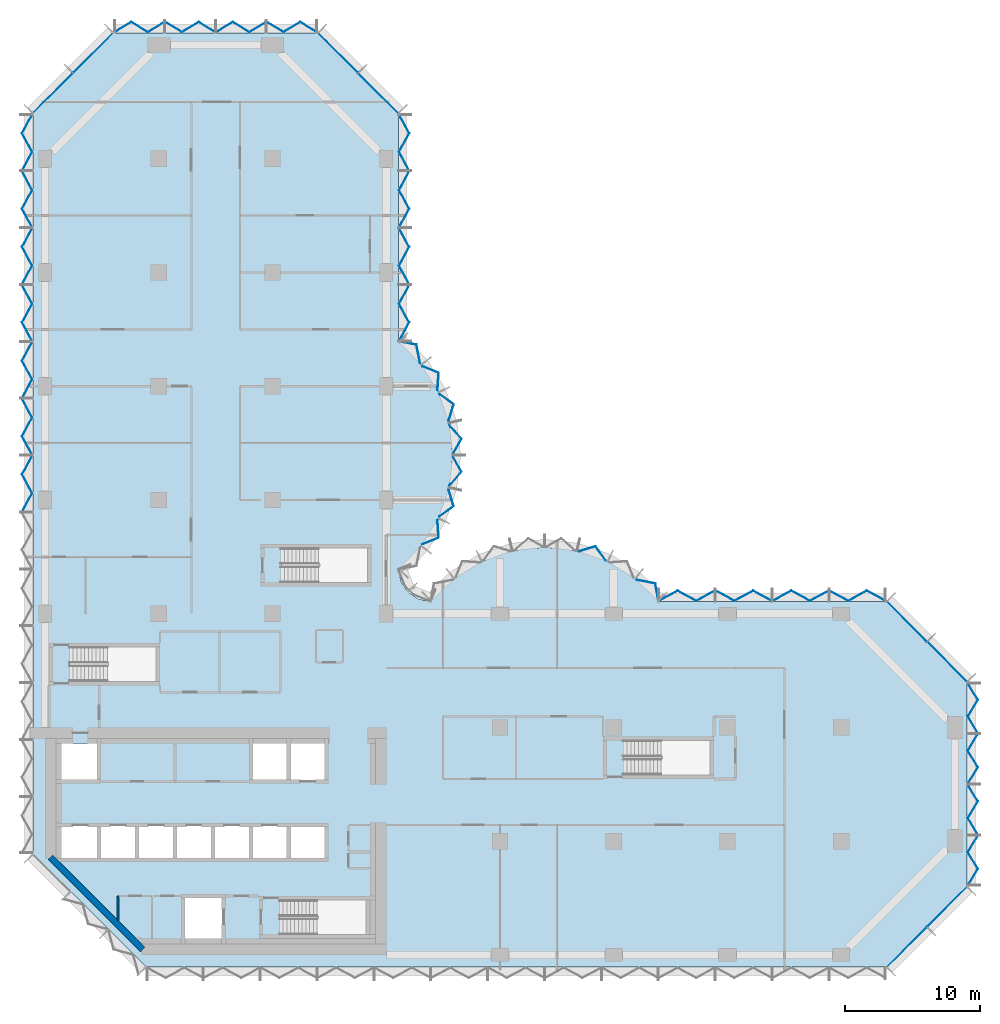
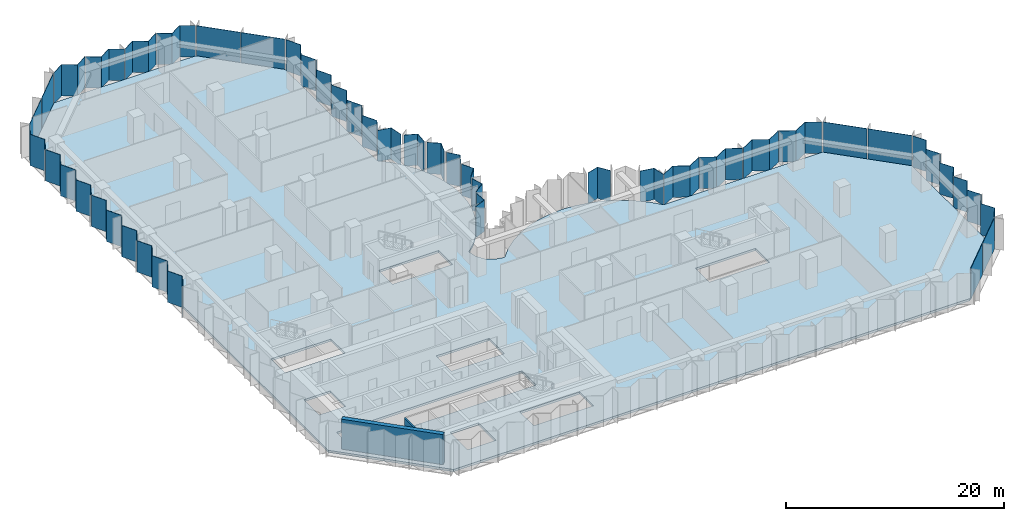
# One storey, part 6 of 13: 40 plates, 2 walls, 1 slab, 11 elements without a shape of their own.
"""IFC4 building model written with IfcOpenShell, lengths in metres."""

from ifc_helpers import new_model, si_unit, direction, frame, frame_2d, origin, place, context, subcontext, project, spatial, polyline, rectangle, outline, extrude, material, layer, layer_set, type_object, element, aggregate, save


model = new_model("IFC4")

# Units and contexts
model_context = context("Model", 3, precision=1e-05, world=origin(), true_north=direction((0.0, 1.0)))
body_context = subcontext(model_context, "Body", "Model", "MODEL_VIEW")
ifc_project = project(units=[si_unit("LENGTHUNIT", "METRE"), si_unit("AREAUNIT", "SQUARE_METRE"), si_unit("VOLUMEUNIT", "CUBIC_METRE"), si_unit("PLANEANGLEUNIT", "RADIAN"), si_unit("MASSUNIT", "GRAM", prefix="KILO")], contexts=[model_context])

# Site, building, storey
site_placement = place(None, origin())
site = spatial("IfcSite", under=ifc_project, at=site_placement, CompositionType="ELEMENT")
building_placement = place(site_placement, origin())
building = spatial("IfcBuilding", under=site, at=building_placement, Name="Brevane Broadcast Tower", CompositionType="ELEMENT")
storey_placement = place(building_placement, frame((0.0, 0.0, 91.699951171875)))
storey = spatial("IfcBuildingStorey", under=building, at=storey_placement, Name="L21", CompositionType="ELEMENT", Elevation=91.699951171875)

# Curtain wall, plates
ifc_material_1 = material(Name="Aluminium 6063-T6 bronze anodised", Category="aluminium")
curtain_wall_type = type_object("IfcCurtainWallType", Name="CW-1 curtain wall", PredefinedType="NOTDEFINED", material=ifc_material_1)
curtain_wall_1_placement = place(storey_placement, origin())
curtain_wall_1 = element("IfcCurtainWall", 1, at=curtain_wall_1_placement, inside=storey, type_object=curtain_wall_type, Name="CW-1 typical tilted unit L21 south-east chamfer", PredefinedType="NOTDEFINED")
ifc_material_2 = material(Name="Laminated glass bronze-tinted", Category="glass")
ifc_layer_1 = layer(ifc_material_2, 0.0400390625)
ifc_layer_set_1 = layer_set([ifc_layer_1], Name="CW tall glass panel 40")
plate_type = type_object("IfcPlateType", Name="CW tall glass panel 40", PredefinedType="CURTAIN_PANEL", material=ifc_layer_set_1)
plate_1_placement = place(storey_placement, frame((0.0, 0.0, -0.14990234375)))
plate_1 = element("IfcPlate", 2, at=plate_1_placement, type_object=plate_type, Name="CW-1 glass panel", PredefinedType="CURTAIN_PANEL", context=body_context, shape_type="SweptSolid", body=[
    extrude(outline(polyline([(62.14599609375, -0.896484375), (65.096435546875, 2.053955078125), (65.124755859375, 2.02587890625), (62.17431640625, -0.9248046875), (62.14599609375, -0.896484375)])), origin(), (0.0, 0.0, 1.0), 3.5),
])
plate_2_placement = place(storey_placement, frame((0.0, 0.0, -0.14990234375)))
plate_2 = element("IfcPlate", 3, at=plate_2_placement, type_object=plate_type, Name="CW-1 glass panel", PredefinedType="CURTAIN_PANEL", context=body_context, shape_type="SweptSolid", body=[
    extrude(outline(polyline([(65.14599609375, 2.103515625), (68.096435546875, 5.053955078125), (68.124755859375, 5.02587890625), (65.17431640625, 2.0751953125), (65.14599609375, 2.103515625)])), origin(), (0.0, 0.0, 1.0), 3.5),
])
aggregate(curtain_wall_1, [plate_1, plate_2])

curtain_wall_2_placement = place(storey_placement, origin())
curtain_wall_2 = element("IfcCurtainWall", 4, at=curtain_wall_2_placement, inside=storey, type_object=curtain_wall_type, Name="CW-1 typical tilted unit L21 east end", PredefinedType="NOTDEFINED")
plate_3_placement = place(storey_placement, frame((0.0, 0.0, -0.14990234375)))
plate_3 = element("IfcPlate", 5, at=plate_3_placement, type_object=plate_type, Name="CW-1 glass panel", PredefinedType="CURTAIN_PANEL", context=body_context, shape_type="SweptSolid", body=[
    extrude(outline(polyline([(68.126708984375, 5.135009765625), (68.17333984375, 5.135009765625), (68.917724609375, 6.36181640625), (68.17333984375, 7.58837890625), (68.917724609375, 8.81494140625), (68.87109375, 8.81494140625), (68.126708984375, 7.58837890625), (68.87109375, 6.36181640625), (68.126708984375, 5.135009765625)])), origin(), (0.0, 0.0, 1.0), 3.5),
])
plate_4_placement = place(storey_placement, frame((0.0, 0.0, -0.14990234375)))
plate_4 = element("IfcPlate", 6, at=plate_4_placement, type_object=plate_type, Name="CW-1 glass panel", PredefinedType="CURTAIN_PANEL", context=body_context, shape_type="SweptSolid", body=[
    extrude(outline(polyline([(68.87109375, 8.885009765625), (68.917724609375, 8.885009765625), (68.17333984375, 10.11181640625), (68.917724609375, 11.33837890625), (68.17333984375, 12.56494140625), (68.126708984375, 12.56494140625), (68.87109375, 11.33837890625), (68.126708984375, 10.11181640625), (68.87109375, 8.885009765625)])), origin(), (0.0, 0.0, 1.0), 3.5),
])
plate_5_placement = place(storey_placement, frame((0.0, 0.0, -0.14990234375)))
plate_5 = element("IfcPlate", 7, at=plate_5_placement, type_object=plate_type, Name="CW-1 glass panel", PredefinedType="CURTAIN_PANEL", context=body_context, shape_type="SweptSolid", body=[
    extrude(outline(polyline([(68.126708984375, 12.635009765625), (68.17333984375, 12.635009765625), (68.917724609375, 13.86181640625), (68.17333984375, 15.08837890625), (68.917724609375, 16.31494140625), (68.87109375, 16.31494140625), (68.126708984375, 15.08837890625), (68.87109375, 13.86181640625), (68.126708984375, 12.635009765625)])), origin(), (0.0, 0.0, 1.0), 3.5),
])
plate_6_placement = place(storey_placement, frame((0.0, 0.0, -0.14990234375)))
plate_6 = element("IfcPlate", 8, at=plate_6_placement, type_object=plate_type, Name="CW-1 glass panel", PredefinedType="CURTAIN_PANEL", context=body_context, shape_type="SweptSolid", body=[
    extrude(outline(polyline([(68.87109375, 16.385009765625), (68.917724609375, 16.385009765625), (68.17333984375, 17.61181640625), (68.917724609375, 18.83837890625), (68.17333984375, 20.06494140625), (68.126708984375, 20.06494140625), (68.87109375, 18.83837890625), (68.126708984375, 17.61181640625), (68.87109375, 16.385009765625)])), origin(), (0.0, 0.0, 1.0), 3.5),
])
aggregate(curtain_wall_2, [plate_3, plate_4, plate_5, plate_6])

curtain_wall_3_placement = place(storey_placement, origin())
curtain_wall_3 = element("IfcCurtainWall", 9, at=curtain_wall_3_placement, inside=storey, type_object=curtain_wall_type, Name="CW-1 typical tilted unit L21 north-east chamfer", PredefinedType="NOTDEFINED")
plate_7_placement = place(storey_placement, frame((0.0, 0.0, -0.14990234375)))
plate_7 = element("IfcPlate", 10, at=plate_7_placement, type_object=plate_type, Name="CW-1 glass panel", PredefinedType="CURTAIN_PANEL", context=body_context, shape_type="SweptSolid", body=[
    extrude(outline(polyline([(68.096435546875, 20.14599609375), (65.14599609375, 23.096435546875), (65.17431640625, 23.124755859375), (68.124755859375, 20.17431640625), (68.096435546875, 20.14599609375)])), origin(), (0.0, 0.0, 1.0), 3.5),
])
plate_8_placement = place(storey_placement, frame((0.0, 0.0, -0.14990234375)))
plate_8 = element("IfcPlate", 11, at=plate_8_placement, type_object=plate_type, Name="CW-1 glass panel", PredefinedType="CURTAIN_PANEL", context=body_context, shape_type="SweptSolid", body=[
    extrude(outline(polyline([(65.096435546875, 23.14599609375), (62.14599609375, 26.096435546875), (62.17431640625, 26.124755859375), (65.124755859375, 23.17431640625), (65.096435546875, 23.14599609375)])), origin(), (0.0, 0.0, 1.0), 3.5),
])
aggregate(curtain_wall_3, [plate_7, plate_8])

curtain_wall_4_placement = place(storey_placement, origin())
curtain_wall_4 = element("IfcCurtainWall", 12, at=curtain_wall_4_placement, inside=storey, type_object=curtain_wall_type, Name="CW-1 typical tilted unit L21 east arm north face", PredefinedType="NOTDEFINED")
plate_9_placement = place(storey_placement, frame((0.0, 0.0, -0.14990234375)))
plate_9 = element("IfcPlate", 13, at=plate_9_placement, type_object=plate_type, Name="CW-1 glass panel", PredefinedType="CURTAIN_PANEL", context=body_context, shape_type="SweptSolid", body=[
    extrude(outline(polyline([(62.06494140625, 26.127197265625), (62.06494140625, 26.172607421875), (60.688232421875, 26.9169921875), (59.311767578125, 26.172607421875), (57.93505859375, 26.9169921875), (57.93505859375, 26.87158203125), (59.311767578125, 26.127197265625), (60.688232421875, 26.87158203125), (62.06494140625, 26.127197265625)])), origin(), (0.0, 0.0, 1.0), 3.5),
])
plate_10_placement = place(storey_placement, frame((0.0, 0.0, -0.14990234375)))
plate_10 = element("IfcPlate", 14, at=plate_10_placement, type_object=plate_type, Name="CW-1 glass panel", PredefinedType="CURTAIN_PANEL", context=body_context, shape_type="SweptSolid", body=[
    extrude(outline(polyline([(57.864990234375, 26.87158203125), (57.864990234375, 26.9169921875), (56.48828125, 26.172607421875), (55.11181640625, 26.9169921875), (53.735107421875, 26.172607421875), (53.735107421875, 26.127197265625), (55.11181640625, 26.87158203125), (56.48828125, 26.127197265625), (57.864990234375, 26.87158203125)])), origin(), (0.0, 0.0, 1.0), 3.5),
])
plate_11_placement = place(storey_placement, frame((0.0, 0.0, -0.14990234375)))
plate_11 = element("IfcPlate", 15, at=plate_11_placement, type_object=plate_type, Name="CW-1 glass panel", PredefinedType="CURTAIN_PANEL", context=body_context, shape_type="SweptSolid", body=[
    extrude(outline(polyline([(53.6650390625, 26.127197265625), (53.6650390625, 26.172607421875), (52.288330078125, 26.9169921875), (50.91162109375, 26.172607421875), (49.534912109375, 26.9169921875), (49.534912109375, 26.87158203125), (50.91162109375, 26.127197265625), (52.288330078125, 26.87158203125), (53.6650390625, 26.127197265625)])), origin(), (0.0, 0.0, 1.0), 3.5),
])
plate_12_placement = place(storey_placement, frame((0.0, 0.0, -0.14990234375)))
plate_12 = element("IfcPlate", 16, at=plate_12_placement, type_object=plate_type, Name="CW-1 glass panel", PredefinedType="CURTAIN_PANEL", context=body_context, shape_type="SweptSolid", body=[
    extrude(outline(polyline([(49.465087890625, 26.87158203125), (49.465087890625, 26.9169921875), (48.08837890625, 26.172607421875), (46.711669921875, 26.9169921875), (45.3349609375, 26.172607421875), (45.3349609375, 26.127197265625), (46.711669921875, 26.87158203125), (48.08837890625, 26.127197265625), (49.465087890625, 26.87158203125)])), origin(), (0.0, 0.0, 1.0), 3.5),
])
aggregate(curtain_wall_4, [plate_9, plate_10, plate_11, plate_12])

curtain_wall_5_placement = place(storey_placement, origin())
curtain_wall_5 = element("IfcCurtainWall", 17, at=curtain_wall_5_placement, inside=storey, type_object=curtain_wall_type, Name="CW-1 typical tilted unit L21 east bow", PredefinedType="NOTDEFINED")
plate_13_placement = place(storey_placement, frame((0.0, 0.0, -0.14990234375)))
plate_13 = element("IfcPlate", 18, at=plate_13_placement, type_object=plate_type, Name="CW-1 glass panel", PredefinedType="CURTAIN_PANEL", context=body_context, shape_type="SweptSolid", body=[
    extrude(outline(polyline([(45.2939453125, 26.14404296875), (45.327880859375, 26.17919921875), (45.086181640625, 27.447265625), (43.738525390625, 27.71142578125), (43.7109375, 27.67626953125), (45.052001953125, 27.4130859375), (45.2939453125, 26.14404296875)])), origin(), (0.0, 0.0, 1.0), 3.5),
])
plate_14_placement = place(storey_placement, frame((0.0, 0.0, -0.14990234375)))
plate_14 = element("IfcPlate", 19, at=plate_14_placement, type_object=plate_type, Name="CW-1 glass panel", PredefinedType="CURTAIN_PANEL", context=body_context, shape_type="SweptSolid", body=[
    extrude(outline(polyline([(41.3994140625, 29.104248046875), (41.4189453125, 29.1455078125), (40.667724609375, 30.20166015625), (39.45068359375, 29.83349609375), (39.440185546875, 29.78857421875), (40.65185546875, 30.155029296875), (41.3994140625, 29.104248046875)])), origin(), (0.0, 0.0, 1.0), 3.5),
])
aggregate(curtain_wall_5, [plate_13, plate_14])

curtain_wall_6_placement = place(storey_placement, origin())
curtain_wall_6 = element("IfcCurtainWall", 20, at=curtain_wall_6_placement, inside=storey, type_object=curtain_wall_type, Name="CW-1 typical tilted unit L21 north bow", PredefinedType="NOTDEFINED")
plate_15_placement = place(storey_placement, frame((0.0, 0.0, -0.14990234375)))
plate_15 = element("IfcPlate", 21, at=plate_15_placement, type_object=plate_type, Name="CW-1 glass panel", PredefinedType="CURTAIN_PANEL", context=body_context, shape_type="SweptSolid", body=[
    extrude(outline(polyline([(27.8759765625, 30.343017578125), (27.912109375, 30.314697265625), (29.089111328125, 30.7958984375), (29.006591796875, 32.08935546875), (28.96533203125, 32.10888671875), (29.04736328125, 30.822265625), (27.8759765625, 30.343017578125)])), origin(), (0.0, 0.0, 1.0), 3.5),
])
plate_16_placement = place(storey_placement, frame((0.0, 0.0, -0.14990234375)))
plate_16 = element("IfcPlate", 22, at=plate_16_placement, type_object=plate_type, Name="CW-1 glass panel", PredefinedType="CURTAIN_PANEL", context=body_context, shape_type="SweptSolid", body=[
    extrude(outline(polyline([(29.104248046875, 32.400634765625), (29.1455078125, 32.381103515625), (30.20166015625, 33.132080078125), (29.83349609375, 34.349365234375), (29.78857421875, 34.359619140625), (30.155029296875, 33.148193359375), (29.104248046875, 32.400634765625)])), origin(), (0.0, 0.0, 1.0), 3.5),
])
plate_17_placement = place(storey_placement, frame((0.0, 0.0, -0.14990234375)))
plate_17 = element("IfcPlate", 23, at=plate_17_placement, type_object=plate_type, Name="CW-1 glass panel", PredefinedType="CURTAIN_PANEL", context=body_context, shape_type="SweptSolid", body=[
    extrude(outline(polyline([(29.859619140625, 34.6748046875), (29.903564453125, 34.664794921875), (30.779296875, 35.68310546875), (30.15869140625, 36.7919921875), (30.11279296875, 36.7919921875), (30.730712890625, 35.68798828125), (29.859619140625, 34.6748046875)])), origin(), (0.0, 0.0, 1.0), 3.5),
])
plate_18_placement = place(storey_placement, frame((0.0, 0.0, -0.14990234375)))
plate_18 = element("IfcPlate", 24, at=plate_18_placement, type_object=plate_type, Name="CW-1 glass panel", PredefinedType="CURTAIN_PANEL", context=body_context, shape_type="SweptSolid", body=[
    extrude(outline(polyline([(30.11279296875, 37.008056640625), (30.15869140625, 37.008056640625), (30.779296875, 38.116943359375), (29.903564453125, 39.13525390625), (29.859619140625, 39.125), (30.730712890625, 38.112060546875), (30.11279296875, 37.008056640625)])), origin(), (0.0, 0.0, 1.0), 3.5),
])
plate_19_placement = place(storey_placement, frame((0.0, 0.0, -0.14990234375)))
plate_19 = element("IfcPlate", 25, at=plate_19_placement, type_object=plate_type, Name="CW-1 glass panel", PredefinedType="CURTAIN_PANEL", context=body_context, shape_type="SweptSolid", body=[
    extrude(outline(polyline([(29.78857421875, 39.440185546875), (29.83349609375, 39.45068359375), (30.20166015625, 40.667724609375), (29.1455078125, 41.4189453125), (29.104248046875, 41.3994140625), (30.155029296875, 40.65185546875), (29.78857421875, 39.440185546875)])), origin(), (0.0, 0.0, 1.0), 3.5),
])
plate_20_placement = place(storey_placement, frame((0.0, 0.0, -0.14990234375)))
plate_20 = element("IfcPlate", 26, at=plate_20_placement, type_object=plate_type, Name="CW-1 glass panel", PredefinedType="CURTAIN_PANEL", context=body_context, shape_type="SweptSolid", body=[
    extrude(outline(polyline([(28.96533203125, 41.69091796875), (29.006591796875, 41.710693359375), (29.089111328125, 43.00390625), (27.912109375, 43.4853515625), (27.8759765625, 43.45703125), (29.04736328125, 42.977783203125), (28.96533203125, 41.69091796875)])), origin(), (0.0, 0.0, 1.0), 3.5),
])
plate_21_placement = place(storey_placement, frame((0.0, 0.0, -0.14990234375)))
plate_21 = element("IfcPlate", 27, at=plate_21_placement, type_object=plate_type, Name="CW-1 glass panel", PredefinedType="CURTAIN_PANEL", context=body_context, shape_type="SweptSolid", body=[
    extrude(outline(polyline([(27.67626953125, 43.7109375), (27.71142578125, 43.738525390625), (27.447265625, 45.086181640625), (26.17919921875, 45.327880859375), (26.14404296875, 45.2939453125), (27.4130859375, 45.052001953125), (27.67626953125, 43.7109375)])), origin(), (0.0, 0.0, 1.0), 3.5),
])
aggregate(curtain_wall_6, [plate_15, plate_16, plate_17, plate_18, plate_19, plate_20, plate_21])

curtain_wall_7_placement = place(storey_placement, origin())
curtain_wall_7 = element("IfcCurtainWall", 28, at=curtain_wall_7_placement, inside=storey, type_object=curtain_wall_type, Name="CW-1 typical tilted unit L21 north arm east face", PredefinedType="NOTDEFINED")
plate_22_placement = place(storey_placement, frame((0.0, 0.0, -0.14990234375)))
plate_22 = element("IfcPlate", 29, at=plate_22_placement, type_object=plate_type, Name="CW-1 glass panel", PredefinedType="CURTAIN_PANEL", context=body_context, shape_type="SweptSolid", body=[
    extrude(outline(polyline([(26.127197265625, 45.3349609375), (26.172607421875, 45.3349609375), (26.9169921875, 46.711669921875), (26.172607421875, 48.08837890625), (26.9169921875, 49.465087890625), (26.87158203125, 49.465087890625), (26.127197265625, 48.08837890625), (26.87158203125, 46.711669921875), (26.127197265625, 45.3349609375)])), origin(), (0.0, 0.0, 1.0), 3.5),
])
plate_23_placement = place(storey_placement, frame((0.0, 0.0, -0.14990234375)))
plate_23 = element("IfcPlate", 30, at=plate_23_placement, type_object=plate_type, Name="CW-1 glass panel", PredefinedType="CURTAIN_PANEL", context=body_context, shape_type="SweptSolid", body=[
    extrude(outline(polyline([(26.87158203125, 49.534912109375), (26.9169921875, 49.534912109375), (26.172607421875, 50.91162109375), (26.9169921875, 52.288330078125), (26.172607421875, 53.6650390625), (26.127197265625, 53.6650390625), (26.87158203125, 52.288330078125), (26.127197265625, 50.91162109375), (26.87158203125, 49.534912109375)])), origin(), (0.0, 0.0, 1.0), 3.5),
])
plate_24_placement = place(storey_placement, frame((0.0, 0.0, -0.14990234375)))
plate_24 = element("IfcPlate", 31, at=plate_24_placement, type_object=plate_type, Name="CW-1 glass panel", PredefinedType="CURTAIN_PANEL", context=body_context, shape_type="SweptSolid", body=[
    extrude(outline(polyline([(26.127197265625, 53.735107421875), (26.172607421875, 53.735107421875), (26.9169921875, 55.11181640625), (26.172607421875, 56.48828125), (26.9169921875, 57.864990234375), (26.87158203125, 57.864990234375), (26.127197265625, 56.48828125), (26.87158203125, 55.11181640625), (26.127197265625, 53.735107421875)])), origin(), (0.0, 0.0, 1.0), 3.5),
])
plate_25_placement = place(storey_placement, frame((0.0, 0.0, -0.14990234375)))
plate_25 = element("IfcPlate", 32, at=plate_25_placement, type_object=plate_type, Name="CW-1 glass panel", PredefinedType="CURTAIN_PANEL", context=body_context, shape_type="SweptSolid", body=[
    extrude(outline(polyline([(26.87158203125, 57.93505859375), (26.9169921875, 57.93505859375), (26.172607421875, 59.311767578125), (26.9169921875, 60.688232421875), (26.172607421875, 62.06494140625), (26.127197265625, 62.06494140625), (26.87158203125, 60.688232421875), (26.127197265625, 59.311767578125), (26.87158203125, 57.93505859375)])), origin(), (0.0, 0.0, 1.0), 3.5),
])
aggregate(curtain_wall_7, [plate_22, plate_23, plate_24, plate_25])

curtain_wall_8_placement = place(storey_placement, origin())
curtain_wall_8 = element("IfcCurtainWall", 33, at=curtain_wall_8_placement, inside=storey, type_object=curtain_wall_type, Name="CW-1 typical tilted unit L21 north arm north-east chamfer", PredefinedType="NOTDEFINED")
plate_26_placement = place(storey_placement, frame((0.0, 0.0, -0.14990234375)))
plate_26 = element("IfcPlate", 34, at=plate_26_placement, type_object=plate_type, Name="CW-1 glass panel", PredefinedType="CURTAIN_PANEL", context=body_context, shape_type="SweptSolid", body=[
    extrude(outline(polyline([(26.096435546875, 62.14599609375), (23.14599609375, 65.096435546875), (23.17431640625, 65.124755859375), (26.124755859375, 62.17431640625), (26.096435546875, 62.14599609375)])), origin(), (0.0, 0.0, 1.0), 3.5),
])
plate_27_placement = place(storey_placement, frame((0.0, 0.0, -0.14990234375)))
plate_27 = element("IfcPlate", 35, at=plate_27_placement, type_object=plate_type, Name="CW-1 glass panel", PredefinedType="CURTAIN_PANEL", context=body_context, shape_type="SweptSolid", body=[
    extrude(outline(polyline([(23.096435546875, 65.14599609375), (20.14599609375, 68.096435546875), (20.17431640625, 68.124755859375), (23.124755859375, 65.17431640625), (23.096435546875, 65.14599609375)])), origin(), (0.0, 0.0, 1.0), 3.5),
])
aggregate(curtain_wall_8, [plate_26, plate_27])

curtain_wall_9_placement = place(storey_placement, origin())
curtain_wall_9 = element("IfcCurtainWall", 36, at=curtain_wall_9_placement, inside=storey, type_object=curtain_wall_type, Name="CW-1 typical tilted unit L21 north end", PredefinedType="NOTDEFINED")
plate_28_placement = place(storey_placement, frame((0.0, 0.0, -0.14990234375)))
plate_28 = element("IfcPlate", 37, at=plate_28_placement, type_object=plate_type, Name="CW-1 glass panel", PredefinedType="CURTAIN_PANEL", context=body_context, shape_type="SweptSolid", body=[
    extrude(outline(polyline([(20.06494140625, 68.126708984375), (20.06494140625, 68.17333984375), (18.83837890625, 68.917724609375), (17.61181640625, 68.17333984375), (16.385009765625, 68.917724609375), (16.385009765625, 68.87109375), (17.61181640625, 68.126708984375), (18.83837890625, 68.87109375), (20.06494140625, 68.126708984375)])), origin(), (0.0, 0.0, 1.0), 3.5),
])
plate_29_placement = place(storey_placement, frame((0.0, 0.0, -0.14990234375)))
plate_29 = element("IfcPlate", 38, at=plate_29_placement, type_object=plate_type, Name="CW-1 glass panel", PredefinedType="CURTAIN_PANEL", context=body_context, shape_type="SweptSolid", body=[
    extrude(outline(polyline([(16.31494140625, 68.87109375), (16.31494140625, 68.917724609375), (15.08837890625, 68.17333984375), (13.86181640625, 68.917724609375), (12.635009765625, 68.17333984375), (12.635009765625, 68.126708984375), (13.86181640625, 68.87109375), (15.08837890625, 68.126708984375), (16.31494140625, 68.87109375)])), origin(), (0.0, 0.0, 1.0), 3.5),
])
plate_30_placement = place(storey_placement, frame((0.0, 0.0, -0.14990234375)))
plate_30 = element("IfcPlate", 39, at=plate_30_placement, type_object=plate_type, Name="CW-1 glass panel", PredefinedType="CURTAIN_PANEL", context=body_context, shape_type="SweptSolid", body=[
    extrude(outline(polyline([(12.56494140625, 68.126708984375), (12.56494140625, 68.17333984375), (11.33837890625, 68.917724609375), (10.11181640625, 68.17333984375), (8.885009765625, 68.917724609375), (8.885009765625, 68.87109375), (10.11181640625, 68.126708984375), (11.33837890625, 68.87109375), (12.56494140625, 68.126708984375)])), origin(), (0.0, 0.0, 1.0), 3.5),
])
plate_31_placement = place(storey_placement, frame((0.0, 0.0, -0.14990234375)))
plate_31 = element("IfcPlate", 40, at=plate_31_placement, type_object=plate_type, Name="CW-1 glass panel", PredefinedType="CURTAIN_PANEL", context=body_context, shape_type="SweptSolid", body=[
    extrude(outline(polyline([(8.81494140625, 68.87109375), (8.81494140625, 68.917724609375), (7.58837890625, 68.17333984375), (6.36181640625, 68.917724609375), (5.135009765625, 68.17333984375), (5.135009765625, 68.126708984375), (6.36181640625, 68.87109375), (7.58837890625, 68.126708984375), (8.81494140625, 68.87109375)])), origin(), (0.0, 0.0, 1.0), 3.5),
])
aggregate(curtain_wall_9, [plate_28, plate_29, plate_30, plate_31])

curtain_wall_10_placement = place(storey_placement, origin())
curtain_wall_10 = element("IfcCurtainWall", 41, at=curtain_wall_10_placement, inside=storey, type_object=curtain_wall_type, Name="CW-1 typical tilted unit L21 north-west chamfer", PredefinedType="NOTDEFINED")
plate_32_placement = place(storey_placement, frame((0.0, 0.0, -0.14990234375)))
plate_32 = element("IfcPlate", 42, at=plate_32_placement, type_object=plate_type, Name="CW-1 glass panel", PredefinedType="CURTAIN_PANEL", context=body_context, shape_type="SweptSolid", body=[
    extrude(outline(polyline([(5.053955078125, 68.096435546875), (2.103515625, 65.14599609375), (2.0751953125, 65.17431640625), (5.02587890625, 68.124755859375), (5.053955078125, 68.096435546875)])), origin(), (0.0, 0.0, 1.0), 3.5),
])
plate_33_placement = place(storey_placement, frame((0.0, 0.0, -0.14990234375)))
plate_33 = element("IfcPlate", 43, at=plate_33_placement, type_object=plate_type, Name="CW-1 glass panel", PredefinedType="CURTAIN_PANEL", context=body_context, shape_type="SweptSolid", body=[
    extrude(outline(polyline([(2.053955078125, 65.096435546875), (-0.896484375, 62.14599609375), (-0.9248046875, 62.17431640625), (2.02587890625, 65.124755859375), (2.053955078125, 65.096435546875)])), origin(), (0.0, 0.0, 1.0), 3.5),
])
aggregate(curtain_wall_10, [plate_32, plate_33])

curtain_wall_11_placement = place(storey_placement, origin())
curtain_wall_11 = element("IfcCurtainWall", 44, at=curtain_wall_11_placement, inside=storey, type_object=curtain_wall_type, Name="CW-1 typical tilted unit L21 west face", PredefinedType="NOTDEFINED")
plate_34_placement = place(storey_placement, frame((0.0, 0.0, -0.14990234375)))
plate_34 = element("IfcPlate", 45, at=plate_34_placement, type_object=plate_type, Name="CW-1 glass panel", PredefinedType="CURTAIN_PANEL", context=body_context, shape_type="SweptSolid", body=[
    extrude(outline(polyline([(-0.92724609375, 62.06494140625), (-0.97265625, 62.06494140625), (-1.717041015625, 60.688232421875), (-0.97265625, 59.311767578125), (-1.717041015625, 57.93505859375), (-1.671630859375, 57.93505859375), (-0.92724609375, 59.311767578125), (-1.671630859375, 60.688232421875), (-0.92724609375, 62.06494140625)])), origin(), (0.0, 0.0, 1.0), 3.5),
])
plate_35_placement = place(storey_placement, frame((0.0, 0.0, -0.14990234375)))
plate_35 = element("IfcPlate", 46, at=plate_35_placement, type_object=plate_type, Name="CW-1 glass panel", PredefinedType="CURTAIN_PANEL", context=body_context, shape_type="SweptSolid", body=[
    extrude(outline(polyline([(-1.671630859375, 57.864990234375), (-1.717041015625, 57.864990234375), (-0.97265625, 56.48828125), (-1.717041015625, 55.11181640625), (-0.97265625, 53.735107421875), (-0.92724609375, 53.735107421875), (-1.671630859375, 55.11181640625), (-0.92724609375, 56.48828125), (-1.671630859375, 57.864990234375)])), origin(), (0.0, 0.0, 1.0), 3.5),
])
plate_36_placement = place(storey_placement, frame((0.0, 0.0, -0.14990234375)))
plate_36 = element("IfcPlate", 47, at=plate_36_placement, type_object=plate_type, Name="CW-1 glass panel", PredefinedType="CURTAIN_PANEL", context=body_context, shape_type="SweptSolid", body=[
    extrude(outline(polyline([(-0.92724609375, 53.6650390625), (-0.97265625, 53.6650390625), (-1.717041015625, 52.288330078125), (-0.97265625, 50.91162109375), (-1.717041015625, 49.534912109375), (-1.671630859375, 49.534912109375), (-0.92724609375, 50.91162109375), (-1.671630859375, 52.288330078125), (-0.92724609375, 53.6650390625)])), origin(), (0.0, 0.0, 1.0), 3.5),
])
plate_37_placement = place(storey_placement, frame((0.0, 0.0, -0.14990234375)))
plate_37 = element("IfcPlate", 48, at=plate_37_placement, type_object=plate_type, Name="CW-1 glass panel", PredefinedType="CURTAIN_PANEL", context=body_context, shape_type="SweptSolid", body=[
    extrude(outline(polyline([(-1.671630859375, 49.465087890625), (-1.717041015625, 49.465087890625), (-0.97265625, 48.08837890625), (-1.717041015625, 46.711669921875), (-0.97265625, 45.3349609375), (-0.92724609375, 45.3349609375), (-1.671630859375, 46.711669921875), (-0.92724609375, 48.08837890625), (-1.671630859375, 49.465087890625)])), origin(), (0.0, 0.0, 1.0), 3.5),
])
plate_38_placement = place(storey_placement, frame((0.0, 0.0, -0.14990234375)))
plate_38 = element("IfcPlate", 49, at=plate_38_placement, type_object=plate_type, Name="CW-1 glass panel", PredefinedType="CURTAIN_PANEL", context=body_context, shape_type="SweptSolid", body=[
    extrude(outline(polyline([(-0.92724609375, 45.264892578125), (-0.97265625, 45.264892578125), (-1.717041015625, 43.88818359375), (-0.97265625, 42.51171875), (-1.717041015625, 41.135009765625), (-1.671630859375, 41.135009765625), (-0.92724609375, 42.51171875), (-1.671630859375, 43.88818359375), (-0.92724609375, 45.264892578125)])), origin(), (0.0, 0.0, 1.0), 3.5),
])
plate_39_placement = place(storey_placement, frame((0.0, 0.0, -0.14990234375)))
plate_39 = element("IfcPlate", 50, at=plate_39_placement, type_object=plate_type, Name="CW-1 glass panel", PredefinedType="CURTAIN_PANEL", context=body_context, shape_type="SweptSolid", body=[
    extrude(outline(polyline([(-1.671630859375, 41.06494140625), (-1.717041015625, 41.06494140625), (-0.97265625, 39.688232421875), (-1.717041015625, 38.311767578125), (-0.97265625, 36.93505859375), (-0.92724609375, 36.93505859375), (-1.671630859375, 38.311767578125), (-0.92724609375, 39.688232421875), (-1.671630859375, 41.06494140625)])), origin(), (0.0, 0.0, 1.0), 3.5),
])
plate_40_placement = place(storey_placement, frame((0.0, 0.0, -0.14990234375)))
plate_40 = element("IfcPlate", 51, at=plate_40_placement, type_object=plate_type, Name="CW-1 glass panel", PredefinedType="CURTAIN_PANEL", context=body_context, shape_type="SweptSolid", body=[
    extrude(outline(polyline([(-0.92724609375, 36.864990234375), (-0.97265625, 36.864990234375), (-1.717041015625, 35.48828125), (-0.97265625, 34.11181640625), (-1.717041015625, 32.735107421875), (-1.671630859375, 32.735107421875), (-0.92724609375, 34.11181640625), (-1.671630859375, 35.48828125), (-0.92724609375, 36.864990234375)])), origin(), (0.0, 0.0, 1.0), 3.5),
])
aggregate(curtain_wall_11, [plate_34, plate_35, plate_36, plate_37, plate_38, plate_39, plate_40])

# Slab
ifc_material_3 = material(Name="Concrete C40/50", Category="concrete")
ifc_layer_2 = layer(ifc_material_3, 0.25)
ifc_layer_set_2 = layer_set([ifc_layer_2], Name="RC FLOOR SLAB 250 C40/50")
slab_type = type_object("IfcSlabType", Name="RC FLOOR SLAB 250 C40/50", PredefinedType="FLOOR", material=ifc_layer_set_2)
slab_placement = place(storey_placement, frame((0.0, 0.0, -0.25)))
element("IfcSlab", 52, at=slab_placement, inside=storey, type_object=slab_type, Name="SL250 L21", PredefinedType="FLOOR", context=body_context, shape_type="SweptSolid", body=[
    extrude(outline(polyline([(-0.89990234375, 7.5), (-0.89990234375, 62.10009765625), (5.10009765625, 68.10009765625), (20.10009765625, 68.10009765625), (26.10009765625, 62.10009765625), (26.10009765625, 45.300048828125), (27.10888671875, 44.36865234375), (27.99169921875, 43.317138671875), (28.734130859375, 42.162353515625), (29.324462890625, 40.922607421875), (29.7529296875, 39.618408203125), (30.012939453125, 38.270263671875), (30.10009765625, 36.89990234375), (30.012939453125, 35.52978515625), (29.7529296875, 34.181640625), (29.324462890625, 32.877197265625), (28.734130859375, 31.6376953125), (27.99169921875, 30.48291015625), (27.10888671875, 29.431396484375), (26.10009765625, 28.5), (26.28271484375, 27.58154296875), (26.802978515625, 26.802978515625), (27.58154296875, 26.28271484375), (28.5, 26.10009765625), (29.431396484375, 27.10888671875), (30.48291015625, 27.99169921875), (31.6376953125, 28.734130859375), (32.877197265625, 29.324462890625), (34.181640625, 29.7529296875), (35.52978515625, 30.012939453125), (36.89990234375, 30.10009765625), (38.270263671875, 30.012939453125), (39.618408203125, 29.7529296875), (40.922607421875, 29.324462890625), (42.162353515625, 28.734130859375), (43.317138671875, 27.99169921875), (44.36865234375, 27.10888671875), (45.300048828125, 26.10009765625), (62.10009765625, 26.10009765625), (68.10009765625, 20.10009765625), (68.10009765625, 5.10009765625), (62.10009765625, -0.89990234375), (7.5, -0.89990234375), (-0.89990234375, 7.5)]), holes=[polyline([(13.199951171875, 4.39990234375), (10.199951171875, 4.39990234375), (10.199951171875, 1.199951171875), (13.199951171875, 1.199951171875), (13.199951171875, 4.39990234375)]), polyline([(4.0, 9.60009765625), (1.199951171875, 9.60009765625), (1.199951171875, 7.0), (4.0, 7.0), (6.800048828125, 7.0), (9.60009765625, 7.0), (12.39990234375, 7.0), (15.199951171875, 7.0), (18.0, 7.0), (20.800048828125, 7.0), (20.800048828125, 9.60009765625), (18.0, 9.60009765625), (15.199951171875, 9.60009765625), (12.39990234375, 9.60009765625), (9.60009765625, 9.60009765625), (6.800048828125, 9.60009765625), (4.0, 9.60009765625)]), polyline([(4.0, 12.800048828125), (4.0, 15.60009765625), (1.199951171875, 15.60009765625), (1.199951171875, 12.800048828125), (4.0, 12.800048828125)]), polyline([(8.199951171875, 22.75), (1.860107421875, 22.75), (1.860107421875, 20.199951171875), (8.199951171875, 20.199951171875), (8.199951171875, 22.75)]), polyline([(23.699951171875, 4.050048828125), (17.360107421875, 4.050048828125), (17.360107421875, 1.5), (23.699951171875, 1.5), (23.699951171875, 4.050048828125)]), polyline([(18.0, 15.60009765625), (15.199951171875, 15.60009765625), (15.199951171875, 12.800048828125), (18.0, 12.800048828125), (20.800048828125, 12.800048828125), (20.800048828125, 15.60009765625), (18.0, 15.60009765625)]), polyline([(49.10009765625, 15.85009765625), (42.760009765625, 15.85009765625), (42.760009765625, 13.300048828125), (49.10009765625, 13.300048828125), (49.10009765625, 15.85009765625)]), polyline([(23.800048828125, 30.050048828125), (17.4599609375, 30.050048828125), (17.4599609375, 27.5), (23.800048828125, 27.5), (23.800048828125, 30.050048828125)])]), origin(), (0.0, 0.0, 1.0), 0.25),
])

# Walls
ifc_material_4 = material(Name="Gypsum board on steel studs", Category="steel")
ifc_layer_3 = layer(ifc_material_4, 0.14990234375)
ifc_layer_set_3 = layer_set([ifc_layer_3], Name="Core fire partition 150 mm")
wall_type_1 = type_object("IfcWallType", Name="Core fire partition 150 mm", PredefinedType="PARTITIONING", material=ifc_layer_set_3)
wall_1_placement = place(storey_placement, frame((5.39990234375, 2.553466796875, 0.0), z_axis=(0.0, 0.0, 1.0), x_axis=(0.0, 1.0, 0.0)))
element("IfcWall", 53, at=wall_1_placement, inside=storey, type_object=wall_type_1, Name="L21 partition wall P10", PredefinedType="PARTITIONING", context=body_context, shape_type="SweptSolid", body=[
    extrude(rectangle(XDim=1.796630859375, YDim=0.14990234375, at=frame_2d((0.8984375, 0.0))), origin(), (0.0, 0.0, 1.0), 3.35009765625),
])
ifc_material_5 = material(Name="Concrete C60/75", Category="concrete")
ifc_layer_4 = layer(ifc_material_5, 0.449951171875)
ifc_layer_set_4 = layer_set([ifc_layer_4], Name="Core wall 450 mm C60/75")
wall_type_2 = type_object("IfcWallType", Name="Core wall 450 mm C60/75", PredefinedType="SHEAR", material=ifc_layer_set_4)
wall_2_placement = place(storey_placement, frame((0.39990234375, 7.21826171875, 0.0), z_axis=(0.0, 0.0, 1.0), x_axis=(0.707106781187, -0.707106781187, 0.0)))
element("IfcWall", 54, at=wall_2_placement, inside=storey, type_object=wall_type_2, Name="L21 outer wall WC", PredefinedType="SHEAR", context=body_context, shape_type="SweptSolid", body=[
    extrude(rectangle(XDim=9.642578125, YDim=0.449951171875, at=frame_2d((4.8212890625, 0.0))), origin(), (0.0, 0.0, 1.0), 3.35009765625),
])

save(model, "model.ifc")
